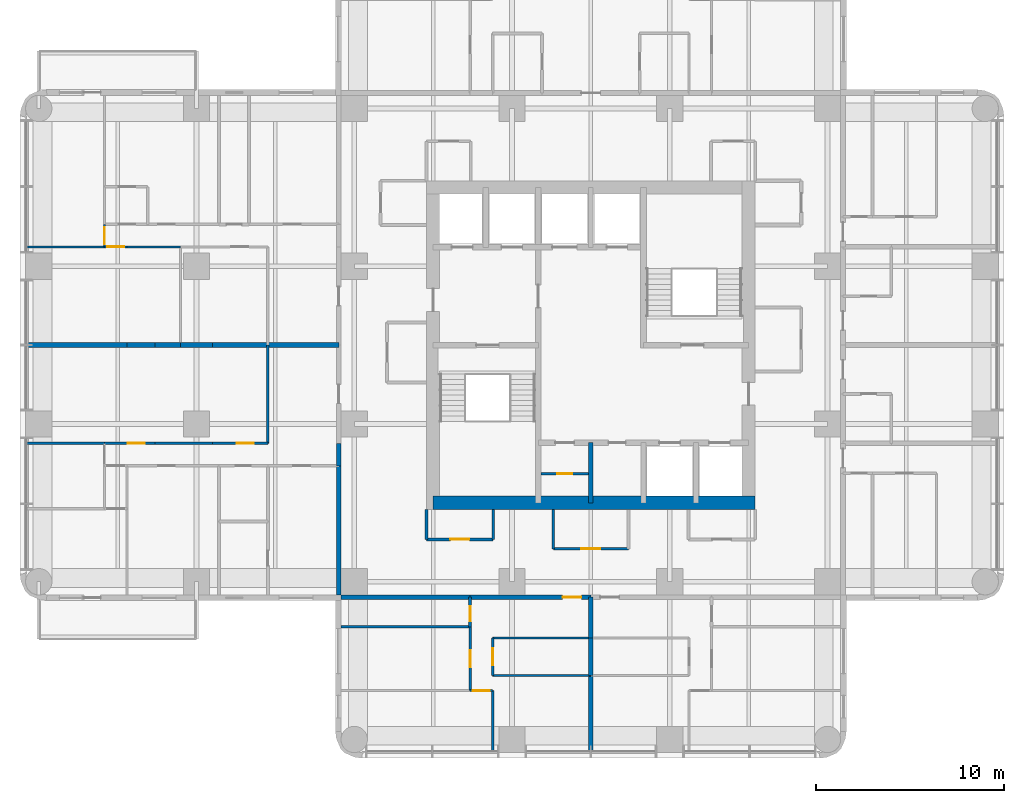
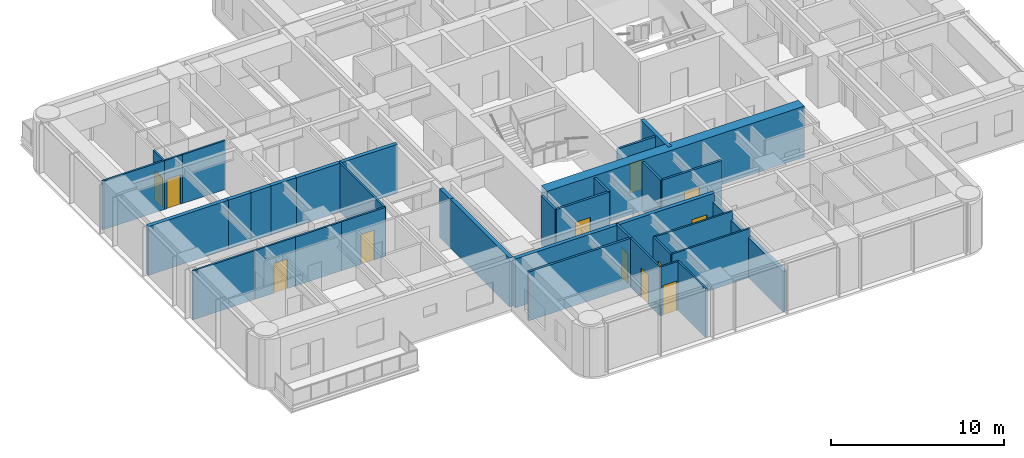
# One storey, part 5 of 12: 38 walls, 12 doors, 12 openings.
"""IFC4 building model written with IfcOpenShell, lengths in metres."""

from ifc_helpers import new_model, si_unit, direction, frame, frame_2d, origin, place, context, subcontext, project, spatial, rectangle, extrude, material, layer, layer_set, type_object, element, fill, save


model = new_model("IFC4")

# Units and contexts
model_context = context("Model", 3, precision=1e-05, world=origin(), true_north=direction((0.0, 1.0)))
body_context = subcontext(model_context, "Body", "Model", "MODEL_VIEW")
ifc_project = project(units=[si_unit("LENGTHUNIT", "METRE"), si_unit("AREAUNIT", "SQUARE_METRE"), si_unit("VOLUMEUNIT", "CUBIC_METRE"), si_unit("PLANEANGLEUNIT", "RADIAN"), si_unit("MASSUNIT", "GRAM", prefix="KILO")], contexts=[model_context])

# Site, building, storey
site_placement = place(None, origin())
site = spatial("IfcSite", under=ifc_project, at=site_placement, CompositionType="ELEMENT")
building_placement = place(site_placement, origin())
building = spatial("IfcBuilding", under=site, at=building_placement, Name="Torre Alcanfor", CompositionType="ELEMENT")
storey_placement = place(building_placement, frame((0.0, 0.0, 226.5)))
storey = spatial("IfcBuildingStorey", under=building, at=storey_placement, Name="L59", CompositionType="ELEMENT", Elevation=226.5)

# Wall, opening, door
ifc_material_1 = material(Name="Concrete block masonry, hollow blocks NMX-C-404 9 MPa", Category="masonry")
ifc_layer_1 = layer(ifc_material_1, 0.25)
ifc_layer_set_1 = layer_set([ifc_layer_1], Name="Apartment entrance wall 250 EI 60")
wall_type_1 = type_object("IfcWallType", Name="Apartment entrance wall 250 EI 60", PredefinedType="PARTITIONING", material=ifc_layer_set_1)
wall_1_placement = place(storey_placement, frame((29.39990234375, 15.97509765625, 0.0), z_axis=(0.0, 0.0, 1.0), x_axis=(-1.0, 0.0, 0.0)))
wall_1 = element("IfcWall", 1, at=wall_1_placement, inside=storey, type_object=wall_type_1, Name="Partition L59-CORR / L59-S2-LIVING", PredefinedType="PARTITIONING", context=body_context, shape_type="SweptSolid", body=[
    extrude(rectangle(XDim=6.428955078125, YDim=0.25, at=frame_2d((3.21435546875, 0.0))), origin(), (0.0, 0.0, 1.0), 3.449951171875),
])
opening_1_placement = place(wall_1_placement, frame((0.5, 0.0, 0.0)))
opening_1 = element("IfcOpeningElement", 2, at=opening_1_placement, cuts=wall_1, Name="Opening D-A1", PredefinedType="OPENING", context=body_context, shape_type="SweptSolid", body=[
    extrude(rectangle(XDim=1.0, YDim=2.10009765625, at=frame_2d((0.5, 1.050048828125))), frame((0.0, 0.135009765625, 0.0), z_axis=(0.0, -1.0, 0.0), x_axis=(1.0, 0.0, 0.0)), (0.0, 0.0, 1.0), 0.27001953125),
])
ifc_material_2 = material(Name="Galvanised steel sheet ASTM A653", Category="steel")
door_type_1 = type_object("IfcDoorType", Name="Apartment entrance door FD60 1000x2100", OperationType="SINGLE_SWING_LEFT", PredefinedType="DOOR", material=ifc_material_2)
door_1_placement = place(opening_1_placement, origin())
door_1 = element("IfcDoor", 3, at=door_1_placement, inside=storey, type_object=door_type_1, Name="Apartment entrance L59-S2", OperationType="SINGLE_SWING_LEFT", OverallHeight=2.10009765625, OverallWidth=1.0, PredefinedType="DOOR", context=body_context, shape_type="SweptSolid", body=[
    extrude(rectangle(XDim=1.0, YDim=2.10009765625, at=frame_2d((0.5, 1.050048828125))), frame((0.0, 0.02490234375, 0.0), z_axis=(0.0, -1.0, 0.0), x_axis=(1.0, 0.0, 0.0)), (0.0, 0.0, 1.0), 0.050048828125),
])
fill(opening_1, door_1)

# Walls
wall_2_placement = place(storey_placement, frame((22.970947265625, 15.97509765625, 0.0), z_axis=(0.0, 0.0, 1.0), x_axis=(-1.0, 0.0, 0.0)))
element("IfcWall", 4, at=wall_2_placement, inside=storey, type_object=wall_type_1, Name="Partition L59-CORR / L59-S2-BATH", PredefinedType="PARTITIONING", context=body_context, shape_type="SweptSolid", body=[
    extrude(rectangle(XDim=6.870849609375, YDim=0.25, at=frame_2d((3.435546875, 0.0))), origin(), (0.0, 0.0, 1.0), 3.449951171875),
])
wall_3_placement = place(storey_placement, frame((15.97509765625, 22.970947265625, 0.0), z_axis=(0.0, 0.0, 1.0), x_axis=(0.0, 1.0, 0.0)))
element("IfcWall", 5, at=wall_3_placement, inside=storey, type_object=wall_type_1, Name="Partition L59-CORR / L59-W1-HALL", PredefinedType="PARTITIONING", context=body_context, shape_type="SweptSolid", body=[
    extrude(rectangle(XDim=1.199951171875, YDim=0.25, at=frame_2d((0.60009765625, 0.0))), origin(), (0.0, 0.0, 1.0), 3.449951171875),
])
wall_4_placement = place(storey_placement, frame((15.97509765625, 16.10009765625, 0.0), z_axis=(0.0, 0.0, 1.0), x_axis=(0.0, 1.0, 0.0)))
element("IfcWall", 6, at=wall_4_placement, inside=storey, type_object=wall_type_1, Name="Partition L59-CORR / L59-W1-SERV", PredefinedType="PARTITIONING", context=body_context, shape_type="SweptSolid", body=[
    extrude(rectangle(XDim=6.870849609375, YDim=0.25, at=frame_2d((3.435546875, 0.0))), origin(), (0.0, 0.0, 1.0), 3.449951171875),
])
ifc_material_3 = material(Name="Gypsum board on steel studs", Category="steel")
ifc_layer_2 = layer(ifc_material_3, 0.1201171875)
ifc_layer_set_2 = layer_set([ifc_layer_2], Name="Apartment partition 120")
wall_type_2 = type_object("IfcWallType", Name="Apartment partition 120", PredefinedType="PARTITIONING", material=ifc_layer_set_2)
wall_5_placement = place(storey_placement, frame((29.39990234375, 11.800048828125, 0.0), z_axis=(0.0, 0.0, 1.0), x_axis=(-1.0, 0.0, 0.0)))
element("IfcWall", 7, at=wall_5_placement, inside=storey, type_object=wall_type_2, Name="Partition L59-S2-KITCHEN / L59-S2-LIVING", PredefinedType="PARTITIONING", context=body_context, shape_type="SweptSolid", body=[
    extrude(rectangle(XDim=5.22900390625, YDim=0.1201171875, at=frame_2d((2.614501953125, 0.0))), origin(), (0.0, 0.0, 1.0), 3.449951171875),
])

# Wall, opening, door
wall_6_placement = place(storey_placement, frame((24.1708984375, 11.800048828125, 0.0), z_axis=(0.0, 0.0, 1.0), x_axis=(0.0, 1.0, 0.0)))
wall_6 = element("IfcWall", 8, at=wall_6_placement, inside=storey, type_object=wall_type_2, Name="Partition L59-S2-KITCHEN / L59-S2-LIVING", PredefinedType="PARTITIONING", context=body_context, shape_type="SweptSolid", body=[
    extrude(rectangle(XDim=2.0, YDim=0.1201171875, at=frame_2d((1.0, 0.0))), origin(), (0.0, 0.0, 1.0), 3.449951171875),
])
opening_2_placement = place(wall_6_placement, frame((0.550048828125, 0.0, 0.0)))
opening_2 = element("IfcOpeningElement", 9, at=opening_2_placement, cuts=wall_6, Name="Opening D-R1", PredefinedType="OPENING", context=body_context, shape_type="SweptSolid", body=[
    extrude(rectangle(XDim=0.89990234375, YDim=2.10009765625, at=frame_2d((0.449951171875, 1.050048828125))), frame((0.0, 0.070068359375, 0.0), z_axis=(0.0, -1.0, 0.0), x_axis=(1.0, 0.0, 0.0)), (0.0, 0.0, 1.0), 0.14013671875),
])
ifc_material_4 = material(Name="Timber", Category="wood")
door_type_2 = type_object("IfcDoorType", Name="Internal door 900x2100", OperationType="SINGLE_SWING_LEFT", PredefinedType="DOOR", material=ifc_material_4)
door_2_placement = place(opening_2_placement, frame((0.89990234375, 0.0, 0.0), z_axis=(0.0, 0.0, 1.0), x_axis=(-1.0, 0.0, 0.0)))
door_2 = element("IfcDoor", 10, at=door_2_placement, inside=storey, type_object=door_type_2, Name="Door L59-S2 kitchen", OperationType="SINGLE_SWING_RIGHT", OverallHeight=2.10009765625, OverallWidth=0.89990234375, PredefinedType="DOOR", context=body_context, shape_type="SweptSolid", body=[
    extrude(rectangle(XDim=0.89990234375, YDim=2.10009765625, at=frame_2d((0.449951171875, 1.050048828125))), frame((0.0, 0.025146484375, 0.0), z_axis=(0.0, -1.0, 0.0), x_axis=(1.0, 0.0, 0.0)), (0.0, 0.0, 1.0), 0.050048828125),
])
fill(opening_2, door_2)

# Wall
wall_7_placement = place(storey_placement, frame((24.1708984375, 13.800048828125, 0.0), z_axis=(0.0, 0.0, 1.0), x_axis=(1.0, 0.0, 0.0)))
element("IfcWall", 11, at=wall_7_placement, inside=storey, type_object=wall_type_2, Name="Partition L59-S2-KITCHEN / L59-S2-LIVING", PredefinedType="PARTITIONING", context=body_context, shape_type="SweptSolid", body=[
    extrude(rectangle(XDim=5.22900390625, YDim=0.1201171875, at=frame_2d((2.614501953125, 0.0))), origin(), (0.0, 0.0, 1.0), 3.449951171875),
])

# Wall, opening, door
wall_8_placement = place(storey_placement, frame((22.970947265625, 11.0, 0.0), z_axis=(0.0, 0.0, 1.0), x_axis=(0.0, 1.0, 0.0)))
wall_8 = element("IfcWall", 12, at=wall_8_placement, inside=storey, type_object=wall_type_2, Name="Partition L59-S2-LIVING / L59-S2-STUDY", PredefinedType="PARTITIONING", context=body_context, shape_type="SweptSolid", body=[
    extrude(rectangle(XDim=3.39990234375, YDim=0.1201171875, at=frame_2d((1.699951171875, 0.0))), origin(), (0.0, 0.0, 1.0), 3.449951171875),
])
opening_3_placement = place(wall_8_placement, frame((1.25, 0.0, 0.0)))
opening_3 = element("IfcOpeningElement", 13, at=opening_3_placement, cuts=wall_8, Name="Opening D-R1", PredefinedType="OPENING", context=body_context, shape_type="SweptSolid", body=[
    extrude(rectangle(XDim=0.89990234375, YDim=2.10009765625, at=frame_2d((0.449951171875, 1.050048828125))), frame((0.0, 0.070068359375, 0.0), z_axis=(0.0, -1.0, 0.0), x_axis=(1.0, 0.0, 0.0)), (0.0, 0.0, 1.0), 0.14013671875),
])
door_3_placement = place(opening_3_placement, origin())
door_3 = element("IfcDoor", 14, at=door_3_placement, inside=storey, type_object=door_type_2, Name="Door L59-S2 study", OperationType="SINGLE_SWING_LEFT", OverallHeight=2.10009765625, OverallWidth=0.89990234375, PredefinedType="DOOR", context=body_context, shape_type="SweptSolid", body=[
    extrude(rectangle(XDim=0.89990234375, YDim=2.10009765625, at=frame_2d((0.449951171875, 1.050048828125))), frame((0.0, 0.02490234375, 0.0), z_axis=(0.0, -1.0, 0.0), x_axis=(1.0, 0.0, 0.0)), (0.0, 0.0, 1.0), 0.050048828125),
])
fill(opening_3, door_3)

# Wall
wall_9_placement = place(storey_placement, frame((24.1708984375, 7.75, 0.0), z_axis=(0.0, 0.0, 1.0), x_axis=(0.0, 1.0, 0.0)))
element("IfcWall", 15, at=wall_9_placement, inside=storey, type_object=wall_type_2, Name="Partition L59-S2-LIVING / L59-S2-MASTER", PredefinedType="PARTITIONING", context=body_context, shape_type="SweptSolid", body=[
    extrude(rectangle(XDim=3.25, YDim=0.1201171875, at=frame_2d((1.625, 0.0))), origin(), (0.0, 0.0, 1.0), 3.449951171875),
])

# Wall, opening, door
wall_10_placement = place(storey_placement, frame((24.1708984375, 11.0, 0.0), z_axis=(0.0, 0.0, 1.0), x_axis=(-1.0, 0.0, 0.0)))
wall_10 = element("IfcWall", 16, at=wall_10_placement, inside=storey, type_object=wall_type_2, Name="Partition L59-S2-LIVING / L59-S2-MASTER", PredefinedType="PARTITIONING", context=body_context, shape_type="SweptSolid", body=[
    extrude(rectangle(XDim=1.199951171875, YDim=0.1201171875, at=frame_2d((0.60009765625, 0.0))), origin(), (0.0, 0.0, 1.0), 3.449951171875),
])
opening_4_placement = place(wall_10_placement, frame((0.15087890625, 0.0, 0.0)))
opening_4 = element("IfcOpeningElement", 17, at=opening_4_placement, cuts=wall_10, Name="Opening D-R1", PredefinedType="OPENING", context=body_context, shape_type="SweptSolid", body=[
    extrude(rectangle(XDim=0.89990234375, YDim=2.10009765625, at=frame_2d((0.449951171875, 1.050048828125))), frame((0.0, 0.070068359375, 0.0), z_axis=(0.0, -1.0, 0.0), x_axis=(1.0, 0.0, 0.0)), (0.0, 0.0, 1.0), 0.14013671875),
])
door_4_placement = place(opening_4_placement, origin())
door_4 = element("IfcDoor", 18, at=door_4_placement, inside=storey, type_object=door_type_2, Name="Door L59-S2 master", OperationType="SINGLE_SWING_LEFT", OverallHeight=2.10009765625, OverallWidth=0.89990234375, PredefinedType="DOOR", context=body_context, shape_type="SweptSolid", body=[
    extrude(rectangle(XDim=0.89990234375, YDim=2.10009765625, at=frame_2d((0.449951171875, 1.050048828125))), frame((0.0, 0.02490234375, 0.0), z_axis=(0.0, -1.0, 0.0), x_axis=(1.0, 0.0, 0.0)), (0.0, 0.0, 1.0), 0.050048828125),
])
fill(opening_4, door_4)

# Wall
wall_11_placement = place(storey_placement, frame((12.199951171875, 29.39990234375, 0.0), z_axis=(0.0, 0.0, 1.0), x_axis=(0.0, -1.0, 0.0)))
element("IfcWall", 19, at=wall_11_placement, inside=storey, type_object=wall_type_2, Name="Partition L59-W1-ZAG / L59-W1-LAUND", PredefinedType="PARTITIONING", context=body_context, shape_type="SweptSolid", body=[
    extrude(rectangle(XDim=5.22900390625, YDim=0.1201171875, at=frame_2d((2.614501953125, 0.0))), origin(), (0.0, 0.0, 1.0), 3.449951171875),
])

# Wall, opening, door
wall_12_placement = place(storey_placement, frame((9.25, 24.1708984375, 0.0), z_axis=(0.0, 0.0, 1.0), x_axis=(1.0, 0.0, 0.0)))
wall_12 = element("IfcWall", 20, at=wall_12_placement, inside=storey, type_object=wall_type_2, Name="Partition L59-W1-LAUND / L59-W1-HALL", PredefinedType="PARTITIONING", context=body_context, shape_type="SweptSolid", body=[
    extrude(rectangle(XDim=2.949951171875, YDim=0.1201171875, at=frame_2d((1.47509765625, 0.0))), origin(), (0.0, 0.0, 1.0), 3.449951171875),
])
opening_5_placement = place(wall_12_placement, frame((1.300048828125, 0.0, 0.0)))
opening_5 = element("IfcOpeningElement", 21, at=opening_5_placement, cuts=wall_12, Name="Opening D-R1", PredefinedType="OPENING", context=body_context, shape_type="SweptSolid", body=[
    extrude(rectangle(XDim=0.89990234375, YDim=2.10009765625, at=frame_2d((0.449951171875, 1.050048828125))), frame((0.0, 0.070068359375, 0.0), z_axis=(0.0, -1.0, 0.0), x_axis=(1.0, 0.0, 0.0)), (0.0, 0.0, 1.0), 0.14013671875),
])
door_5_placement = place(opening_5_placement, origin())
door_5 = element("IfcDoor", 22, at=door_5_placement, inside=storey, type_object=door_type_2, Name="Door L59-W1 laund", OperationType="SINGLE_SWING_RIGHT", OverallHeight=2.10009765625, OverallWidth=0.89990234375, PredefinedType="DOOR", context=body_context, shape_type="SweptSolid", body=[
    extrude(rectangle(XDim=0.89990234375, YDim=2.10009765625, at=frame_2d((0.449951171875, 1.050048828125))), frame((0.0, 0.02490234375, 0.0), z_axis=(0.0, -1.0, 0.0), x_axis=(1.0, 0.0, 0.0)), (0.0, 0.0, 1.0), 0.050048828125),
])
fill(opening_5, door_5)

# Wall
wall_13_placement = place(storey_placement, frame((6.199951171875, 24.1708984375, 0.0), z_axis=(0.0, 0.0, 1.0), x_axis=(1.0, 0.0, 0.0)))
element("IfcWall", 23, at=wall_13_placement, inside=storey, type_object=wall_type_2, Name="Partition L59-W1-KITCHEN / L59-W1-HALL", PredefinedType="PARTITIONING", context=body_context, shape_type="SweptSolid", body=[
    extrude(rectangle(XDim=3.050048828125, YDim=0.1201171875, at=frame_2d((1.52490234375, 0.0))), origin(), (0.0, 0.0, 1.0), 3.449951171875),
])

# Wall, opening, door
wall_14_placement = place(storey_placement, frame((3.5, 24.1708984375, 0.0), z_axis=(0.0, 0.0, 1.0), x_axis=(1.0, 0.0, 0.0)))
wall_14 = element("IfcWall", 24, at=wall_14_placement, inside=storey, type_object=wall_type_2, Name="Partition L59-W1-LIVING / L59-W1-HALL", PredefinedType="PARTITIONING", context=body_context, shape_type="SweptSolid", body=[
    extrude(rectangle(XDim=2.699951171875, YDim=0.1201171875, at=frame_2d((1.35009765625, 0.0))), origin(), (0.0, 0.0, 1.0), 3.449951171875),
])
opening_6_placement = place(wall_14_placement, frame((1.25, 0.0, 0.0)))
opening_6 = element("IfcOpeningElement", 25, at=opening_6_placement, cuts=wall_14, Name="Opening D-R1", PredefinedType="OPENING", context=body_context, shape_type="SweptSolid", body=[
    extrude(rectangle(XDim=0.89990234375, YDim=2.10009765625, at=frame_2d((0.449951171875, 1.050048828125))), frame((0.0, 0.070068359375, 0.0), z_axis=(0.0, -1.0, 0.0), x_axis=(1.0, 0.0, 0.0)), (0.0, 0.0, 1.0), 0.14013671875),
])
door_6_placement = place(opening_6_placement, origin())
door_6 = element("IfcDoor", 26, at=door_6_placement, inside=storey, type_object=door_type_2, Name="Door L59-W1 living", OperationType="SINGLE_SWING_RIGHT", OverallHeight=2.10009765625, OverallWidth=0.89990234375, PredefinedType="DOOR", context=body_context, shape_type="SweptSolid", body=[
    extrude(rectangle(XDim=0.89990234375, YDim=2.10009765625, at=frame_2d((0.449951171875, 1.050048828125))), frame((0.0, 0.02490234375, 0.0), z_axis=(0.0, -1.0, 0.0), x_axis=(1.0, 0.0, 0.0)), (0.0, 0.0, 1.0), 0.050048828125),
])
fill(opening_6, door_6)

# Walls
wall_15_placement = place(storey_placement, frame((-0.64990234375, 24.1708984375, 0.0), z_axis=(0.0, 0.0, 1.0), x_axis=(1.0, 0.0, 0.0)))
element("IfcWall", 27, at=wall_15_placement, inside=storey, type_object=wall_type_2, Name="Partition L59-W1-LIVING / L59-W1-BED2", PredefinedType="PARTITIONING", context=body_context, shape_type="SweptSolid", body=[
    extrude(rectangle(XDim=4.14990234375, YDim=0.1201171875, at=frame_2d((2.074951171875, 0.0))), origin(), (0.0, 0.0, 1.0), 3.449951171875),
])
wall_16_placement = place(storey_placement, frame((4.699951171875, 34.62890625, 0.0), z_axis=(0.0, 0.0, 1.0), x_axis=(1.0, 0.0, 0.0)))
element("IfcWall", 28, at=wall_16_placement, inside=storey, type_object=wall_type_2, Name="Partition L59-W2-KITCHEN / L59-W2-HALL", PredefinedType="PARTITIONING", context=body_context, shape_type="SweptSolid", body=[
    extrude(rectangle(XDim=2.85009765625, YDim=0.1201171875, at=frame_2d((1.425048828125, 0.0))), origin(), (0.0, 0.0, 1.0), 3.449951171875),
])

# Wall, opening, door
wall_17_placement = place(storey_placement, frame((3.5, 34.62890625, 0.0), z_axis=(0.0, 0.0, 1.0), x_axis=(1.0, 0.0, 0.0)))
wall_17 = element("IfcWall", 29, at=wall_17_placement, inside=storey, type_object=wall_type_2, Name="Partition L59-W2-LIVING / L59-W2-HALL", PredefinedType="PARTITIONING", context=body_context, shape_type="SweptSolid", body=[
    extrude(rectangle(XDim=1.199951171875, YDim=0.1201171875, at=frame_2d((0.60009765625, 0.0))), origin(), (0.0, 0.0, 1.0), 3.449951171875),
])
opening_7_placement = place(wall_17_placement, frame((0.14990234375, 0.0, 0.0)))
opening_7 = element("IfcOpeningElement", 30, at=opening_7_placement, cuts=wall_17, Name="Opening D-R1", PredefinedType="OPENING", context=body_context, shape_type="SweptSolid", body=[
    extrude(rectangle(XDim=0.89990234375, YDim=2.10009765625, at=frame_2d((0.449951171875, 1.050048828125))), frame((0.0, 0.070068359375, 0.0), z_axis=(0.0, -1.0, 0.0), x_axis=(1.0, 0.0, 0.0)), (0.0, 0.0, 1.0), 0.14013671875),
])
door_7_placement = place(opening_7_placement, frame((0.89990234375, 0.0, 0.0), z_axis=(0.0, 0.0, 1.0), x_axis=(-1.0, 0.0, 0.0)))
door_7 = element("IfcDoor", 31, at=door_7_placement, inside=storey, type_object=door_type_2, Name="Door L59-W2 living", OperationType="SINGLE_SWING_LEFT", OverallHeight=2.10009765625, OverallWidth=0.89990234375, PredefinedType="DOOR", context=body_context, shape_type="SweptSolid", body=[
    extrude(rectangle(XDim=0.89990234375, YDim=2.10009765625, at=frame_2d((0.449951171875, 1.050048828125))), frame((0.0, 0.025146484375, 0.0), z_axis=(0.0, -1.0, 0.0), x_axis=(1.0, 0.0, 0.0)), (0.0, 0.0, 1.0), 0.050048828125),
])
fill(opening_7, door_7)

# Wall
wall_18_placement = place(storey_placement, frame((-0.64990234375, 34.62890625, 0.0), z_axis=(0.0, 0.0, 1.0), x_axis=(1.0, 0.0, 0.0)))
element("IfcWall", 32, at=wall_18_placement, inside=storey, type_object=wall_type_2, Name="Partition L59-W2-LIVING / L59-W2-WGARD", PredefinedType="PARTITIONING", context=body_context, shape_type="SweptSolid", body=[
    extrude(rectangle(XDim=4.14990234375, YDim=0.1201171875, at=frame_2d((2.074951171875, 0.0))), origin(), (0.0, 0.0, 1.0), 3.449951171875),
])

# Wall, opening, door
wall_19_placement = place(storey_placement, frame((3.5, 34.62890625, 0.0), z_axis=(0.0, 0.0, 1.0), x_axis=(0.0, 1.0, 0.0)))
wall_19 = element("IfcWall", 33, at=wall_19_placement, inside=storey, type_object=wall_type_2, Name="Partition L59-W2-HALL / L59-W2-WGARD", PredefinedType="PARTITIONING", context=body_context, shape_type="SweptSolid", body=[
    extrude(rectangle(XDim=1.2001953125, YDim=0.1201171875, at=frame_2d((0.60009765625, 0.0))), origin(), (0.0, 0.0, 1.0), 3.449951171875),
])
opening_8_placement = place(wall_19_placement, frame((0.15087890625, 0.0, 0.0)))
opening_8 = element("IfcOpeningElement", 34, at=opening_8_placement, cuts=wall_19, Name="Opening D-R1", PredefinedType="OPENING", context=body_context, shape_type="SweptSolid", body=[
    extrude(rectangle(XDim=0.89990234375, YDim=2.10009765625, at=frame_2d((0.449951171875, 1.050048828125))), frame((0.0, 0.070068359375, 0.0), z_axis=(0.0, -1.0, 0.0), x_axis=(1.0, 0.0, 0.0)), (0.0, 0.0, 1.0), 0.14013671875),
])
door_8_placement = place(opening_8_placement, origin())
door_8 = element("IfcDoor", 35, at=door_8_placement, inside=storey, type_object=door_type_2, Name="Door L59-W2 wgard", OperationType="SINGLE_SWING_LEFT", OverallHeight=2.10009765625, OverallWidth=0.89990234375, PredefinedType="DOOR", context=body_context, shape_type="SweptSolid", body=[
    extrude(rectangle(XDim=0.89990234375, YDim=2.10009765625, at=frame_2d((0.449951171875, 1.050048828125))), frame((0.0, 0.02490234375, 0.0), z_axis=(0.0, -1.0, 0.0), x_axis=(1.0, 0.0, 0.0)), (0.0, 0.0, 1.0), 0.050048828125),
])
fill(opening_8, door_8)

# Walls
ifc_material_5 = material(Name="Concrete f'c 70 MPa", Category="concrete")
ifc_layer_3 = layer(ifc_material_5, 0.25)
ifc_layer_set_3 = layer_set([ifc_layer_3], Name="Core shaft wall 250 f'c70")
wall_type_3 = type_object("IfcWallType", Name="Core shaft wall 250 f'c70", PredefinedType="SHEAR", material=ifc_layer_set_3)
wall_20_placement = place(storey_placement, frame((29.39990234375, 21.0, 0.0), z_axis=(0.0, 0.0, 1.0), x_axis=(0.0, 1.0, 0.0)))
element("IfcWall", 36, at=wall_20_placement, inside=storey, type_object=wall_type_3, Name="Core wall X294S L59", PredefinedType="SHEAR", context=body_context, shape_type="SweptSolid", body=[
    extrude(rectangle(XDim=3.199951171875, YDim=0.25, at=frame_2d((1.60009765625, 0.0))), origin(), (0.0, 0.0, 1.0), 3.60009765625),
])
ifc_material_6 = material(Name="Concrete f'c 70 MPa", Category="concrete")
ifc_layer_4 = layer(ifc_material_6, 0.699951171875)
ifc_layer_set_4 = layer_set([ifc_layer_4], Name="Core wall 700 f'c70")
wall_type_4 = type_object("IfcWallType", Name="Core wall 700 f'c70", PredefinedType="SHEAR", material=ifc_layer_set_4)
wall_21_placement = place(storey_placement, frame((21.0, 21.0, 0.0), z_axis=(0.0, 0.0, 1.0), x_axis=(1.0, 0.0, 0.0)))
element("IfcWall", 37, at=wall_21_placement, inside=storey, type_object=wall_type_4, Name="Core wall OUT-S L59", PredefinedType="SHEAR", context=body_context, shape_type="SweptSolid", body=[
    extrude(rectangle(XDim=17.14990234375, YDim=0.699951171875, at=frame_2d((8.574951171875, 0.0))), origin(), (0.0, 0.0, 1.0), 3.60009765625),
])
ifc_material_7 = material(Name="Concrete block masonry, hollow blocks NMX-C-404 9 MPa", Category="masonry")
ifc_layer_5 = layer(ifc_material_7, 0.25)
ifc_layer_set_5 = layer_set([ifc_layer_5], Name="Party wall 250 EI 60")
wall_type_5 = type_object("IfcWallType", Name="Party wall 250 EI 60", PredefinedType="PARTITIONING", material=ifc_layer_set_5)
wall_22_placement = place(storey_placement, frame((29.39990234375, 13.800048828125, 0.0), z_axis=(0.0, 0.0, 1.0), x_axis=(0.0, -1.0, 0.0)))
element("IfcWall", 38, at=wall_22_placement, inside=storey, type_object=wall_type_5, Name="Partition L59-S1-KITCHEN / L59-S2-KITCHEN", PredefinedType="PARTITIONING", context=body_context, shape_type="SweptSolid", body=[
    extrude(rectangle(XDim=2.0, YDim=0.25, at=frame_2d((1.0, 0.0))), origin(), (0.0, 0.0, 1.0), 2.847900390625),
])
wall_23_placement = place(storey_placement, frame((29.39990234375, 7.75, 0.0), z_axis=(0.0, 0.0, 1.0), x_axis=(0.0, 1.0, 0.0)))
element("IfcWall", 39, at=wall_23_placement, inside=storey, type_object=wall_type_5, Name="Partition L59-S1-LIVING / L59-S2-LIVING", PredefinedType="PARTITIONING", context=body_context, shape_type="SweptSolid", body=[
    extrude(rectangle(XDim=4.050048828125, YDim=0.25, at=frame_2d((2.02490234375, 0.0))), origin(), (0.0, 0.0, 1.0), 2.847900390625),
])
wall_24_placement = place(storey_placement, frame((29.39990234375, 13.800048828125, 0.0), z_axis=(0.0, 0.0, 1.0), x_axis=(0.0, 1.0, 0.0)))
element("IfcWall", 40, at=wall_24_placement, inside=storey, type_object=wall_type_5, Name="Partition L59-S1-LIVING / L59-S2-LIVING", PredefinedType="PARTITIONING", context=body_context, shape_type="SweptSolid", body=[
    extrude(rectangle(XDim=2.175048828125, YDim=0.25, at=frame_2d((1.08740234375, 0.0))), origin(), (0.0, 0.0, 1.0), 2.847900390625),
])
wall_25_placement = place(storey_placement, frame((15.97509765625, 29.39990234375, 0.0), z_axis=(0.0, 0.0, 1.0), x_axis=(-1.0, 0.0, 0.0)))
element("IfcWall", 41, at=wall_25_placement, inside=storey, type_object=wall_type_5, Name="Partition L59-W1-ZAG / L59-W2-ZAG", PredefinedType="PARTITIONING", context=body_context, shape_type="SweptSolid", body=[
    extrude(rectangle(XDim=3.775146484375, YDim=0.25, at=frame_2d((1.8876953125, 0.0))), origin(), (0.0, 0.0, 1.0), 3.449951171875),
])
wall_26_placement = place(storey_placement, frame((12.199951171875, 29.39990234375, 0.0), z_axis=(0.0, 0.0, 1.0), x_axis=(-1.0, 0.0, 0.0)))
element("IfcWall", 42, at=wall_26_placement, inside=storey, type_object=wall_type_5, Name="Partition L59-W1-LAUND / L59-W2-FAMILY", PredefinedType="PARTITIONING", context=body_context, shape_type="SweptSolid", body=[
    extrude(rectangle(XDim=2.949951171875, YDim=0.25, at=frame_2d((1.47509765625, 0.0))), origin(), (0.0, 0.0, 1.0), 3.449951171875),
])
wall_27_placement = place(storey_placement, frame((9.25, 29.39990234375, 0.0), z_axis=(0.0, 0.0, 1.0), x_axis=(-1.0, 0.0, 0.0)))
element("IfcWall", 43, at=wall_27_placement, inside=storey, type_object=wall_type_5, Name="Partition L59-W1-KITCHEN / L59-W2-FAMILY", PredefinedType="PARTITIONING", context=body_context, shape_type="SweptSolid", body=[
    extrude(rectangle(XDim=1.699951171875, YDim=0.25, at=frame_2d((0.85009765625, 0.0))), origin(), (0.0, 0.0, 1.0), 3.449951171875),
])
wall_28_placement = place(storey_placement, frame((7.550048828125, 29.39990234375, 0.0), z_axis=(0.0, 0.0, 1.0), x_axis=(-1.0, 0.0, 0.0)))
element("IfcWall", 44, at=wall_28_placement, inside=storey, type_object=wall_type_5, Name="Partition L59-W1-KITCHEN / L59-W2-KITCHEN", PredefinedType="PARTITIONING", context=body_context, shape_type="SweptSolid", body=[
    extrude(rectangle(XDim=1.35009765625, YDim=0.25, at=frame_2d((0.675048828125, 0.0))), origin(), (0.0, 0.0, 1.0), 3.449951171875),
])
wall_29_placement = place(storey_placement, frame((6.199951171875, 29.39990234375, 0.0), z_axis=(0.0, 0.0, 1.0), x_axis=(-1.0, 0.0, 0.0)))
element("IfcWall", 45, at=wall_29_placement, inside=storey, type_object=wall_type_5, Name="Partition L59-W1-LIVING / L59-W2-KITCHEN", PredefinedType="PARTITIONING", context=body_context, shape_type="SweptSolid", body=[
    extrude(rectangle(XDim=1.5, YDim=0.25, at=frame_2d((0.75, 0.0))), origin(), (0.0, 0.0, 1.0), 3.449951171875),
])
wall_30_placement = place(storey_placement, frame((4.699951171875, 29.39990234375, 0.0), z_axis=(0.0, 0.0, 1.0), x_axis=(-1.0, 0.0, 0.0)))
element("IfcWall", 46, at=wall_30_placement, inside=storey, type_object=wall_type_5, Name="Partition L59-W1-LIVING / L59-W2-LIVING", PredefinedType="PARTITIONING", context=body_context, shape_type="SweptSolid", body=[
    extrude(rectangle(XDim=5.349853515625, YDim=0.25, at=frame_2d((2.6748046875, 0.0))), origin(), (0.0, 0.0, 1.0), 3.449951171875),
])
ifc_material_8 = material(Name="Concrete block masonry, hollow blocks NMX-C-404 9 MPa", Category="masonry")
ifc_layer_6 = layer(ifc_material_8, 0.14990234375)
ifc_layer_set_6 = layer_set([ifc_layer_6], Name="Residents' room partition 150")
wall_type_6 = type_object("IfcWallType", Name="Residents' room partition 150", PredefinedType="PARTITIONING", material=ifc_layer_set_6)
wall_31_placement = place(storey_placement, frame((20.64990234375, 20.64990234375, 0.0), z_axis=(0.0, 0.0, 1.0), x_axis=(0.0, -1.0, 0.0)))
element("IfcWall", 47, at=wall_31_placement, inside=storey, type_object=wall_type_6, Name="Partition L59-CORR / L59-G05", PredefinedType="PARTITIONING", context=body_context, shape_type="SweptSolid", body=[
    extrude(rectangle(XDim=1.599853515625, YDim=0.14990234375, at=frame_2d((0.7998046875, 0.0))), origin(), (0.0, 0.0, 1.0), 3.449951171875),
])

# Wall, opening, door
wall_32_placement = place(storey_placement, frame((20.64990234375, 19.050048828125, 0.0), z_axis=(0.0, 0.0, 1.0), x_axis=(1.0, 0.0, 0.0)))
wall_32 = element("IfcWall", 48, at=wall_32_placement, inside=storey, type_object=wall_type_6, Name="Partition L59-CORR / L59-G05", PredefinedType="PARTITIONING", context=body_context, shape_type="SweptSolid", body=[
    extrude(rectangle(XDim=3.550048828125, YDim=0.14990234375, at=frame_2d((1.77490234375, 0.0))), origin(), (0.0, 0.0, 1.0), 3.449951171875),
])
opening_9_placement = place(wall_32_placement, frame((1.27490234375, 0.0, 0.0)))
opening_9 = element("IfcOpeningElement", 49, at=opening_9_placement, cuts=wall_32, Name="Opening D-M1", PredefinedType="OPENING", context=body_context, shape_type="SweptSolid", body=[
    extrude(rectangle(XDim=1.0, YDim=2.10009765625, at=frame_2d((0.5, 1.050048828125))), frame((0.0, 0.0849609375, 0.0), z_axis=(0.0, -1.0, 0.0), x_axis=(1.0, 0.0, 0.0)), (0.0, 0.0, 1.0), 0.169921875),
])
ifc_material_9 = material(Name="Timber", Category="wood")
door_type_3 = type_object("IfcDoorType", Name="Residents' room door 1000x2100", OperationType="SINGLE_SWING_LEFT", PredefinedType="DOOR", material=ifc_material_9)
door_9_placement = place(opening_9_placement, origin())
door_9 = element("IfcDoor", 50, at=door_9_placement, inside=storey, type_object=door_type_3, Name="Door L59-G05 residents' lockers", OperationType="SINGLE_SWING_LEFT", OverallHeight=2.10009765625, OverallWidth=1.0, PredefinedType="DOOR", context=body_context, shape_type="SweptSolid", body=[
    extrude(rectangle(XDim=1.0, YDim=2.10009765625, at=frame_2d((0.5, 1.050048828125))), frame((0.0, 0.02490234375, 0.0), z_axis=(0.0, -1.0, 0.0), x_axis=(1.0, 0.0, 0.0)), (0.0, 0.0, 1.0), 0.050048828125),
])
fill(opening_9, door_9)

# Walls
wall_33_placement = place(storey_placement, frame((24.199951171875, 19.050048828125, 0.0), z_axis=(0.0, 0.0, 1.0), x_axis=(0.0, 1.0, 0.0)))
element("IfcWall", 51, at=wall_33_placement, inside=storey, type_object=wall_type_6, Name="Partition L59-CORR / L59-G05", PredefinedType="PARTITIONING", context=body_context, shape_type="SweptSolid", body=[
    extrude(rectangle(XDim=1.599853515625, YDim=0.14990234375, at=frame_2d((0.7998046875, 0.0))), origin(), (0.0, 0.0, 1.0), 3.449951171875),
])
wall_34_placement = place(storey_placement, frame((27.39990234375, 20.64990234375, 0.0), z_axis=(0.0, 0.0, 1.0), x_axis=(0.0, -1.0, 0.0)))
element("IfcWall", 52, at=wall_34_placement, inside=storey, type_object=wall_type_6, Name="Partition L59-CORR / L59-G06", PredefinedType="PARTITIONING", context=body_context, shape_type="SweptSolid", body=[
    extrude(rectangle(XDim=2.099853515625, YDim=0.14990234375, at=frame_2d((1.0498046875, 0.0))), origin(), (0.0, 0.0, 1.0), 3.449951171875),
])

# Wall, opening, door
wall_35_placement = place(storey_placement, frame((27.39990234375, 18.550048828125, 0.0), z_axis=(0.0, 0.0, 1.0), x_axis=(1.0, 0.0, 0.0)))
wall_35 = element("IfcWall", 53, at=wall_35_placement, inside=storey, type_object=wall_type_6, Name="Partition L59-CORR / L59-G06", PredefinedType="PARTITIONING", context=body_context, shape_type="SweptSolid", body=[
    extrude(rectangle(XDim=4.0, YDim=0.14990234375, at=frame_2d((2.0, 0.0))), origin(), (0.0, 0.0, 1.0), 3.449951171875),
])
opening_10_placement = place(wall_35_placement, frame((1.5, 0.0, 0.0)))
opening_10 = element("IfcOpeningElement", 54, at=opening_10_placement, cuts=wall_35, Name="Opening D-M1", PredefinedType="OPENING", context=body_context, shape_type="SweptSolid", body=[
    extrude(rectangle(XDim=1.0, YDim=2.10009765625, at=frame_2d((0.5, 1.050048828125))), frame((0.0, 0.0849609375, 0.0), z_axis=(0.0, -1.0, 0.0), x_axis=(1.0, 0.0, 0.0)), (0.0, 0.0, 1.0), 0.169921875),
])
door_10_placement = place(opening_10_placement, origin())
door_10 = element("IfcDoor", 55, at=door_10_placement, inside=storey, type_object=door_type_3, Name="Door L59-G06 residents' storage", OperationType="SINGLE_SWING_LEFT", OverallHeight=2.10009765625, OverallWidth=1.0, PredefinedType="DOOR", context=body_context, shape_type="SweptSolid", body=[
    extrude(rectangle(XDim=1.0, YDim=2.10009765625, at=frame_2d((0.5, 1.050048828125))), frame((0.0, 0.02490234375, 0.0), z_axis=(0.0, -1.0, 0.0), x_axis=(1.0, 0.0, 0.0)), (0.0, 0.0, 1.0), 0.050048828125),
])
fill(opening_10, door_10)

wall_36_placement = place(storey_placement, frame((26.75, 22.550048828125, 0.0), z_axis=(0.0, 0.0, 1.0), x_axis=(1.0, 0.0, 0.0)))
wall_36 = element("IfcWall", 56, at=wall_36_placement, inside=storey, type_object=wall_type_6, Name="Partition L59-PA1R / L59-PA1C", PredefinedType="PARTITIONING", context=body_context, shape_type="SweptSolid", body=[
    extrude(rectangle(XDim=2.52490234375, YDim=0.14990234375, at=frame_2d((1.262451171875, 0.0))), origin(), (0.0, 0.0, 1.0), 3.449951171875),
])
opening_11_placement = place(wall_36_placement, frame((0.862548828125, 0.0, 0.0)))
opening_11 = element("IfcOpeningElement", 57, at=opening_11_placement, cuts=wall_36, Name="Opening D-R2", PredefinedType="OPENING", context=body_context, shape_type="SweptSolid", body=[
    extrude(rectangle(XDim=0.800048828125, YDim=2.10009765625, at=frame_2d((0.39990234375, 1.050048828125))), frame((0.0, 0.0849609375, 0.0), z_axis=(0.0, -1.0, 0.0), x_axis=(1.0, 0.0, 0.0)), (0.0, 0.0, 1.0), 0.169921875),
])
ifc_material_10 = material(Name="Timber", Category="wood")
door_type_4 = type_object("IfcDoorType", Name="Bathroom door 800x2100", OperationType="SINGLE_SWING_LEFT", PredefinedType="DOOR", material=ifc_material_10)
door_11_placement = place(opening_11_placement, frame((0.800048828125, 0.0, 0.0), z_axis=(0.0, 0.0, 1.0), x_axis=(-1.0, 0.0, 0.0)))
door_11 = element("IfcDoor", 58, at=door_11_placement, inside=storey, type_object=door_type_4, Name="Cleaners' cupboard door L59", OperationType="SINGLE_SWING_RIGHT", OverallHeight=2.10009765625, OverallWidth=0.800048828125, PredefinedType="DOOR", context=body_context, shape_type="SweptSolid", body=[
    extrude(rectangle(XDim=0.800048828125, YDim=2.10009765625, at=frame_2d((0.400146484375, 1.050048828125))), frame((0.0, 0.025146484375, 0.0), z_axis=(0.0, -1.0, 0.0), x_axis=(1.0, 0.0, 0.0)), (0.0, 0.0, 1.0), 0.050048828125),
])
fill(opening_11, door_11)

ifc_material_11 = material(Name="Cement board on steel studs", Category="steel")
ifc_layer_7 = layer(ifc_material_11, 0.14990234375)
ifc_layer_set_7 = layer_set([ifc_layer_7], Name="Wet area partition 150")
wall_type_7 = type_object("IfcWallType", Name="Wet area partition 150", PredefinedType="PARTITIONING", material=ifc_layer_set_7)
wall_37_placement = place(storey_placement, frame((22.970947265625, 14.39990234375, 0.0), z_axis=(0.0, 0.0, 1.0), x_axis=(0.0, 1.0, 0.0)))
wall_37 = element("IfcWall", 59, at=wall_37_placement, inside=storey, type_object=wall_type_7, Name="Partition L59-S2-LIVING / L59-S2-BATH", PredefinedType="PARTITIONING", context=body_context, shape_type="SweptSolid", body=[
    extrude(rectangle(XDim=1.5751953125, YDim=0.14990234375, at=frame_2d((0.78759765625, 0.0))), origin(), (0.0, 0.0, 1.0), 3.449951171875),
])
opening_12_placement = place(wall_37_placement, frame((0.300048828125, 0.0, 0.0)))
opening_12 = element("IfcOpeningElement", 60, at=opening_12_placement, cuts=wall_37, Name="Opening D-R2", PredefinedType="OPENING", context=body_context, shape_type="SweptSolid", body=[
    extrude(rectangle(XDim=0.800048828125, YDim=2.10009765625, at=frame_2d((0.39990234375, 1.050048828125))), frame((0.0, 0.0849609375, 0.0), z_axis=(0.0, -1.0, 0.0), x_axis=(1.0, 0.0, 0.0)), (0.0, 0.0, 1.0), 0.169921875),
])
door_12_placement = place(opening_12_placement, origin())
door_12 = element("IfcDoor", 61, at=door_12_placement, inside=storey, type_object=door_type_4, Name="Door L59-S2 bath", OperationType="SINGLE_SWING_LEFT", OverallHeight=2.10009765625, OverallWidth=0.800048828125, PredefinedType="DOOR", context=body_context, shape_type="SweptSolid", body=[
    extrude(rectangle(XDim=0.800048828125, YDim=2.10009765625, at=frame_2d((0.39990234375, 1.050048828125))), frame((0.0, 0.02490234375, 0.0), z_axis=(0.0, -1.0, 0.0), x_axis=(1.0, 0.0, 0.0)), (0.0, 0.0, 1.0), 0.050048828125),
])
fill(opening_12, door_12)

# Wall
wall_38_placement = place(storey_placement, frame((22.970947265625, 14.39990234375, 0.0), z_axis=(0.0, 0.0, 1.0), x_axis=(-1.0, 0.0, 0.0)))
element("IfcWall", 62, at=wall_38_placement, inside=storey, type_object=wall_type_7, Name="Partition L59-S2-BATH / L59-S2-STUDY", PredefinedType="PARTITIONING", context=body_context, shape_type="SweptSolid", body=[
    extrude(rectangle(XDim=6.870849609375, YDim=0.14990234375, at=frame_2d((3.435546875, 0.0))), origin(), (0.0, 0.0, 1.0), 3.449951171875),
])

save(model, "model.ifc")
